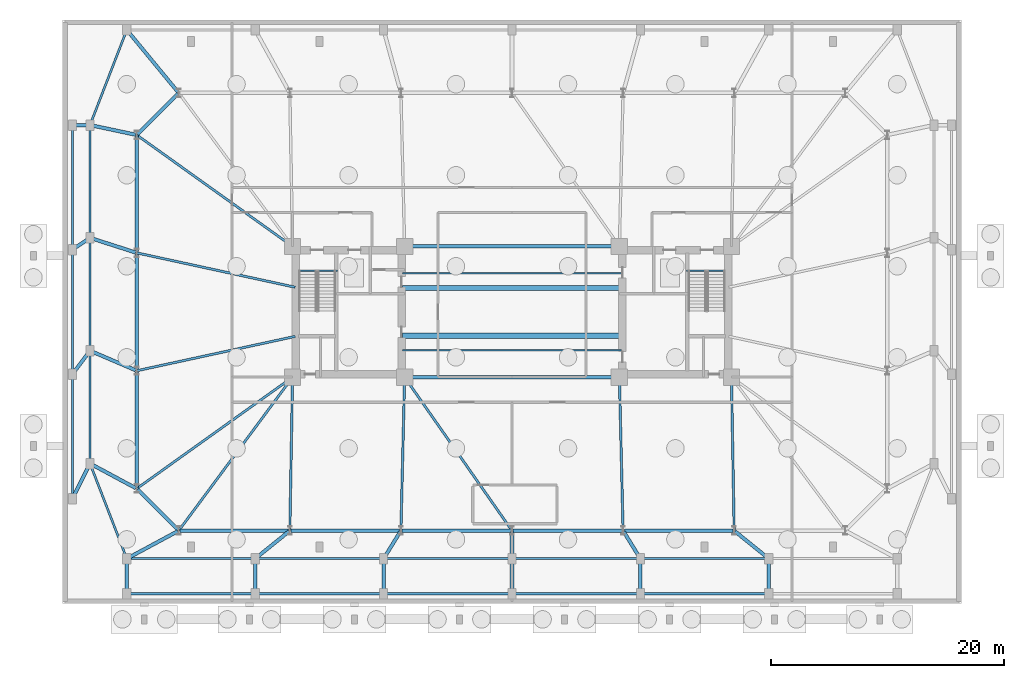
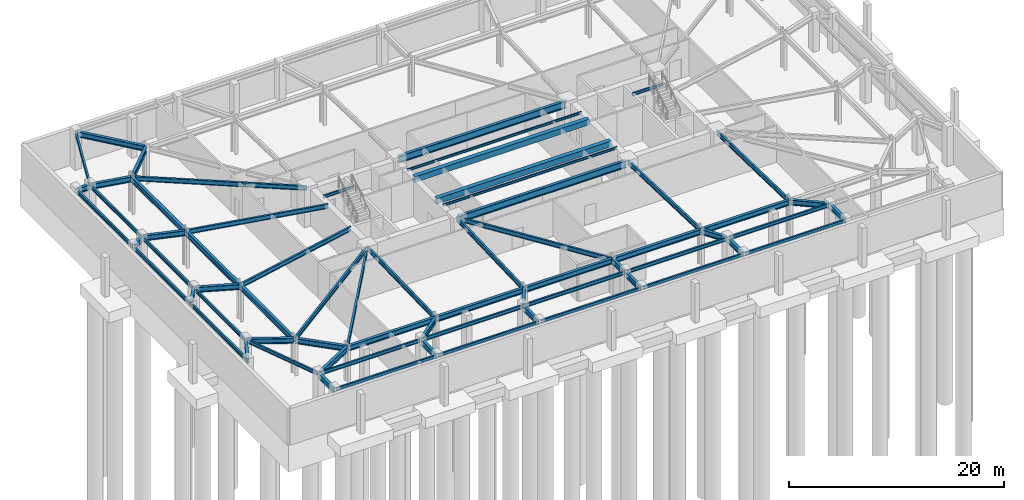
# One storey, part 6 of 15: 67 beams.
"""IFC4 building model written with IfcOpenShell, lengths in metres."""

from ifc_helpers import new_model, si_unit, direction, frame, origin, origin_2d, place, context, subcontext, project, spatial, rectangle, i_section, extrude, material, material_profile, profile_set, type_object, element, save


model = new_model("IFC4")

# Units and contexts
model_context = context("Model", 3, precision=1e-05, world=origin(), true_north=direction((0.0, 1.0)))
body_context = subcontext(model_context, "Body", "Model", "MODEL_VIEW")
ifc_project = project(units=[si_unit("LENGTHUNIT", "METRE"), si_unit("AREAUNIT", "SQUARE_METRE"), si_unit("VOLUMEUNIT", "CUBIC_METRE"), si_unit("PLANEANGLEUNIT", "RADIAN"), si_unit("MASSUNIT", "GRAM", prefix="KILO")], contexts=[model_context])

# Site, building, storey
site_placement = place(None, origin())
site = spatial("IfcSite", under=ifc_project, at=site_placement, CompositionType="ELEMENT")
building_placement = place(site_placement, origin())
building = spatial("IfcBuilding", under=site, at=building_placement, Name="Qobustan Lattice House", CompositionType="ELEMENT")
storey_placement = place(building_placement, frame((0.0, 0.0, -9.0)))
storey = spatial("IfcBuildingStorey", under=building, at=storey_placement, Name="B02", CompositionType="ELEMENT", Elevation=-9.0)

# Beams
ifc_material_1 = material(Name="Steel S355", Category="steel")
ifc_material_profile_1 = material_profile(ifc_material_1, i_section(OverallWidth=0.199951171875, OverallDepth=0.5, WebThickness=0.01025390625, FlangeThickness=0.01611328125, FilletRadius=0.02099609375, at=origin_2d()), Name="IPE500")
ifc_profile_set_1 = profile_set([ifc_material_profile_1], Name="Steel S355")
beam_type_1 = type_object("IfcBeamType", Name="BM-FLG-IPE500", PredefinedType="USERDEFINED", material=ifc_profile_set_1)
beam_1_placement = place(storey_placement, frame((-28.53515625, -18.72998046875, 3.889892578125), z_axis=(0.5955916815, 0.803287338956, 0.0), x_axis=(-0.803287338956, 0.5955916815, 0.0)))
element("IfcBeam", 1, at=beam_1_placement, inside=storey, type_object=beam_type_1, Name="B02 primary floor girder RAD-S1W", ObjectType="GIRDER", PredefinedType="USERDEFINED", context=body_context, shape_type="SweptSolid", body=[
    extrude(i_section(OverallWidth=0.199951171875, OverallDepth=0.5, WebThickness=0.01025390625, FlangeThickness=0.01611328125, FilletRadius=0.02099609375, at=origin_2d()), origin(), (0.0, 0.0, 1.0), 16.3203125),
])
beam_2_placement = place(storey_placement, frame((-19.032958984375, -18.72509765625, 3.889892578125), z_axis=(0.017757831607, 0.999842317276, 0.0), x_axis=(-0.999842317276, 0.017757831607, 0.0)))
element("IfcBeam", 2, at=beam_2_placement, inside=storey, type_object=beam_type_1, Name="B02 primary floor girder RAD-S2", ObjectType="GIRDER", PredefinedType="USERDEFINED", context=body_context, shape_type="SweptSolid", body=[
    extrude(i_section(OverallWidth=0.199951171875, OverallDepth=0.5, WebThickness=0.01025390625, FlangeThickness=0.01611328125, FilletRadius=0.02099609375, at=origin_2d()), origin(), (0.0, 0.0, 1.0), 13.10205078125),
])
beam_3_placement = place(storey_placement, frame((-9.51611328125, -18.72509765625, 3.889892578125), z_axis=(0.024071445657, 0.999710240772, 0.0), x_axis=(-0.999710240772, 0.024071445657, 0.0)))
element("IfcBeam", 3, at=beam_3_placement, inside=storey, type_object=beam_type_1, Name="B02 primary floor girder RAD-S3", ObjectType="GIRDER", PredefinedType="USERDEFINED", context=body_context, shape_type="SweptSolid", body=[
    extrude(i_section(OverallWidth=0.199951171875, OverallDepth=0.5, WebThickness=0.01025390625, FlangeThickness=0.01611328125, FilletRadius=0.02099609375, at=origin_2d()), origin(), (0.0, 0.0, 1.0), 13.10400390625),
])
beam_4_placement = place(storey_placement, frame((-0.014404296875, -18.7294921875, 3.889892578125), z_axis=(-0.57325954206, 0.819373844736, 0.0), x_axis=(-0.819373844736, -0.57325954206, 0.0)))
element("IfcBeam", 4, at=beam_4_placement, inside=storey, type_object=beam_type_1, Name="B02 primary floor girder RAD-S4", ObjectType="GIRDER", PredefinedType="USERDEFINED", context=body_context, shape_type="SweptSolid", body=[
    extrude(i_section(OverallWidth=0.199951171875, OverallDepth=0.5, WebThickness=0.01025390625, FlangeThickness=0.01611328125, FilletRadius=0.02099609375, at=origin_2d()), origin(), (0.0, 0.0, 1.0), 15.998779296875),
])
beam_5_placement = place(storey_placement, frame((9.51611328125, -18.72509765625, 3.889892578125), z_axis=(-0.024071445657, 0.999710240772, 0.0), x_axis=(-0.999710240772, -0.024071445657, 0.0)))
element("IfcBeam", 5, at=beam_5_placement, inside=storey, type_object=beam_type_1, Name="B02 primary floor girder RAD-S5", ObjectType="GIRDER", PredefinedType="USERDEFINED", context=body_context, shape_type="SweptSolid", body=[
    extrude(i_section(OverallWidth=0.199951171875, OverallDepth=0.5, WebThickness=0.01025390625, FlangeThickness=0.01611328125, FilletRadius=0.02099609375, at=origin_2d()), origin(), (0.0, 0.0, 1.0), 13.10400390625),
])
beam_6_placement = place(storey_placement, frame((19.032958984375, -18.72509765625, 3.889892578125), z_axis=(-0.017757831607, 0.999842317276, 0.0), x_axis=(-0.999842317276, -0.017757831607, 0.0)))
element("IfcBeam", 6, at=beam_6_placement, inside=storey, type_object=beam_type_1, Name="B02 primary floor girder RAD-S6", ObjectType="GIRDER", PredefinedType="USERDEFINED", context=body_context, shape_type="SweptSolid", body=[
    extrude(i_section(OverallWidth=0.199951171875, OverallDepth=0.5, WebThickness=0.01025390625, FlangeThickness=0.01611328125, FilletRadius=0.02099609375, at=origin_2d()), origin(), (0.0, 0.0, 1.0), 13.10205078125),
])
beam_7_placement = place(storey_placement, frame((-32.129638671875, 15.135498046875, 3.889892578125), z_axis=(0.813318954893, -0.581818079481, 0.0), x_axis=(0.581818079481, 0.813318954893, 0.0)))
element("IfcBeam", 7, at=beam_7_placement, inside=storey, type_object=beam_type_1, Name="B02 primary floor girder RAD-W1", ObjectType="GIRDER", PredefinedType="USERDEFINED", context=body_context, shape_type="SweptSolid", body=[
    extrude(i_section(OverallWidth=0.199951171875, OverallDepth=0.5, WebThickness=0.01025390625, FlangeThickness=0.01611328125, FilletRadius=0.02099609375, at=origin_2d()), origin(), (0.0, 0.0, 1.0), 16.3642578125),
])
for number, where, z_axis, x_axis, name in (
    (8, (-32.12548828125, 5.044677734375, 3.889892578125), (0.97727240275, -0.211987383643, 0.0), (0.211987383643, 0.97727240275, 0.0), "B02 primary floor girder RAD-W2"),
    (9, (-32.12548828125, -5.044677734375, 3.889892578125), (0.97727240275, 0.211987383643, 0.0), (-0.211987383643, 0.97727240275, 0.0), "B02 primary floor girder RAD-W3"),
):
    element("IfcBeam", number, at=place(storey_placement, frame(where, z_axis=z_axis, x_axis=x_axis)), inside=storey, type_object=beam_type_1, Name=name, ObjectType="GIRDER", PredefinedType="USERDEFINED", context=body_context, shape_type="SweptSolid", body=[
        extrude(i_section(OverallWidth=0.199951171875, OverallDepth=0.5, WebThickness=0.01025390625, FlangeThickness=0.01611328125, FilletRadius=0.02099609375, at=origin_2d()), origin(), (0.0, 0.0, 1.0), 13.8662109375),
    ])
beam_8_placement = place(storey_placement, frame((-32.129638671875, -15.135498046875, 3.889892578125), z_axis=(0.813318954893, 0.581818079481, 0.0), x_axis=(-0.581818079481, 0.813318954893, 0.0)))
element("IfcBeam", 10, at=beam_8_placement, inside=storey, type_object=beam_type_1, Name="B02 primary floor girder RAD-W4", ObjectType="GIRDER", PredefinedType="USERDEFINED", context=body_context, shape_type="SweptSolid", body=[
    extrude(i_section(OverallWidth=0.199951171875, OverallDepth=0.5, WebThickness=0.01025390625, FlangeThickness=0.01611328125, FilletRadius=0.02099609375, at=origin_2d()), origin(), (0.0, 0.0, 1.0), 16.3642578125),
])
ifc_material_2 = material(Name="Steel S355", Category="steel")
ifc_material_profile_2 = material_profile(ifc_material_2, i_section(OverallWidth=0.135009765625, OverallDepth=0.27001953125, WebThickness=0.006591796875, FlangeThickness=0.01025390625, FilletRadius=0.014892578125, at=origin_2d()), Name="IPE270")
ifc_profile_set_2 = profile_set([ifc_material_profile_2], Name="Steel S355")
beam_type_2 = type_object("IfcBeamType", Name="BM-JST-IPE270", PredefinedType="JOIST", material=ifc_profile_set_2)
for number, where, z_axis, x_axis, name in (
    (11, (-9.39990234375, -3.300048828125, 4.0048828125), (1.0, 0.0, 0.0), (0.0, 1.0, 0.0), "B02 central span floor joist 1"),
    (12, (-9.39990234375, 3.300048828125, 4.0048828125), (1.0, 0.0, 0.0), (0.0, 1.0, 0.0), "B02 central span floor joist 2"),
):
    element("IfcBeam", number, at=place(storey_placement, frame(where, z_axis=z_axis, x_axis=x_axis)), inside=storey, type_object=beam_type_2, Name=name, PredefinedType="JOIST", context=body_context, shape_type="SweptSolid", body=[
        extrude(i_section(OverallWidth=0.135009765625, OverallDepth=0.27001953125, WebThickness=0.006591796875, FlangeThickness=0.01025390625, FilletRadius=0.014892578125, at=origin_2d()), origin(), (0.0, 0.0, 1.0), 18.7998046875),
    ])
ifc_material_3 = material(Name="Concrete C50/60", Category="concrete")
ifc_material_profile_3 = material_profile(ifc_material_3, rectangle(XDim=0.449951171875, YDim=0.64990234375, at=origin_2d()), Name="RC450x650")
ifc_profile_set_3 = profile_set([ifc_material_profile_3], Name="Concrete C50/60")
beam_type_3 = type_object("IfcBeamType", Name="BM-LINTEL-450x650", PredefinedType="LINTEL", material=ifc_profile_set_3)
for number, where, z_axis, x_axis, name in (
    (13, (-9.39990234375, -2.050048828125, 3.81494140625), (1.0, 0.0, 0.0), (0.0, 1.0, 0.0), "B02 reinforced concrete portal lintel LN-W1"),
    (14, (-9.39990234375, 2.050048828125, 3.81494140625), (1.0, 0.0, 0.0), (0.0, 1.0, 0.0), "B02 reinforced concrete portal lintel LN-E1"),
):
    element("IfcBeam", number, at=place(storey_placement, frame(where, z_axis=z_axis, x_axis=x_axis)), inside=storey, type_object=beam_type_3, Name=name, PredefinedType="LINTEL", context=body_context, shape_type="SweptSolid", body=[
        extrude(rectangle(XDim=0.449951171875, YDim=0.64990234375, at=origin_2d()), origin(), (0.0, 0.0, 1.0), 18.7998046875),
    ])
ifc_material_4 = material(Name="Steel S355", Category="steel")
ifc_material_profile_4 = material_profile(ifc_material_4, i_section(OverallWidth=0.300048828125, OverallDepth=0.60009765625, WebThickness=0.015380859375, FlangeThickness=0.030029296875, FilletRadius=0.027099609375, at=origin_2d()), Name="HEB600")
ifc_profile_set_4 = profile_set([ifc_material_profile_4], Name="Steel S355")
beam_type_4 = type_object("IfcBeamType", Name="BM-POD-HEB600", PredefinedType="USERDEFINED", material=ifc_profile_set_4)
for number, where, z_axis, x_axis, name in (
    (15, (-33.0, -24.030029296875, 3.840087890625), (0.0, 1.0, 0.0), (-1.0, 0.0, 0.0), "B02 south terrace tie girder 1"),
    (16, (-22.0, -24.030029296875, 3.840087890625), (0.0, 1.0, 0.0), (-1.0, 0.0, 0.0), "B02 south terrace tie girder 2"),
    (17, (-11.0, -24.030029296875, 3.840087890625), (0.0, 1.0, 0.0), (-1.0, 0.0, 0.0), "B02 south terrace tie girder 3"),
    (18, (0.0, -24.030029296875, 3.840087890625), (0.0, 1.0, 0.0), (-1.0, 0.0, 0.0), "B02 south terrace tie girder 4"),
    (19, (11.0, -24.030029296875, 3.840087890625), (0.0, 1.0, 0.0), (-1.0, 0.0, 0.0), "B02 south terrace tie girder 5"),
    (20, (22.0, -24.030029296875, 3.840087890625), (0.0, 1.0, 0.0), (-1.0, 0.0, 0.0), "B02 south terrace tie girder 6"),
):
    element("IfcBeam", number, at=place(storey_placement, frame(where, z_axis=z_axis, x_axis=x_axis)), inside=storey, type_object=beam_type_4, Name=name, ObjectType="GIRDER", PredefinedType="USERDEFINED", context=body_context, shape_type="SweptSolid", body=[
        extrude(i_section(OverallWidth=0.300048828125, OverallDepth=0.60009765625, WebThickness=0.015380859375, FlangeThickness=0.030029296875, FilletRadius=0.027099609375, at=origin_2d()), origin(), (0.0, 0.0, 1.0), 2.760009765625),
    ])
beam_9_placement = place(storey_placement, frame((-37.59619140625, -15.892578125, 3.840087890625), z_axis=(0.4472135955, 0.894427191, 0.0), x_axis=(-0.894427191, 0.4472135955, 0.0)))
element("IfcBeam", 21, at=beam_9_placement, inside=storey, type_object=beam_type_4, Name="B02 setback tie girder PWL1", ObjectType="GIRDER", PredefinedType="USERDEFINED", context=body_context, shape_type="SweptSolid", body=[
    extrude(i_section(OverallWidth=0.300048828125, OverallDepth=0.60009765625, WebThickness=0.015380859375, FlangeThickness=0.030029296875, FilletRadius=0.027099609375, at=origin_2d()), origin(), (0.0, 0.0, 1.0), 3.114013671875),
])
beam_10_placement = place(storey_placement, frame((-37.577880859375, -5.2373046875, 3.840087890625), z_axis=(0.599965431752, 0.800025925019, 0.0), x_axis=(-0.800025925019, 0.599965431752, 0.0)))
element("IfcBeam", 22, at=beam_10_placement, inside=storey, type_object=beam_type_4, Name="B02 setback tie girder PWL2", ObjectType="GIRDER", PredefinedType="USERDEFINED", context=body_context, shape_type="SweptSolid", body=[
    extrude(i_section(OverallWidth=0.300048828125, OverallDepth=0.60009765625, WebThickness=0.015380859375, FlangeThickness=0.030029296875, FilletRadius=0.027099609375, at=origin_2d()), origin(), (0.0, 0.0, 1.0), 2.260009765625),
])
beam_11_placement = place(storey_placement, frame((-37.55029296875, 5.39990234375, 3.840087890625), z_axis=(0.832074324237, 0.554664149684, 0.0), x_axis=(-0.554664149684, 0.832074324237, 0.0)))
element("IfcBeam", 23, at=beam_11_placement, inside=storey, type_object=beam_type_4, Name="B02 setback tie girder PWL3", ObjectType="GIRDER", PredefinedType="USERDEFINED", context=body_context, shape_type="SweptSolid", body=[
    extrude(i_section(OverallWidth=0.300048828125, OverallDepth=0.60009765625, WebThickness=0.015380859375, FlangeThickness=0.030029296875, FilletRadius=0.027099609375, at=origin_2d()), origin(), (0.0, 0.0, 1.0), 1.56298828125),
])
beam_12_placement = place(storey_placement, frame((-37.530029296875, 16.0, 3.840087890625), z_axis=(1.0, 0.0, 0.0), x_axis=(0.0, 1.0, 0.0)))
element("IfcBeam", 24, at=beam_12_placement, inside=storey, type_object=beam_type_4, Name="B02 setback tie girder PWL4", ObjectType="GIRDER", PredefinedType="USERDEFINED", context=body_context, shape_type="SweptSolid", body=[
    extrude(i_section(OverallWidth=0.300048828125, OverallDepth=0.60009765625, WebThickness=0.015380859375, FlangeThickness=0.030029296875, FilletRadius=0.027099609375, at=origin_2d()), origin(), (0.0, 0.0, 1.0), 1.260009765625),
])
for number, where, z_axis, x_axis, name in (
    (25, (-28.449951171875, -18.75, 3.840087890625), (1.0, 0.0, 0.0), (0.0, 1.0, 0.0), "B02 tower base ring girder S1-S2"),
    (26, (-18.933349609375, -18.75, 3.840087890625), (1.0, 0.0, 0.0), (0.0, 1.0, 0.0), "B02 tower base ring girder S2-S3"),
    (27, (-9.416748046875, -18.75, 3.840087890625), (1.0, 0.0, 0.0), (0.0, 1.0, 0.0), "B02 tower base ring girder S3-S4"),
    (28, (0.10009765625, -18.75, 3.840087890625), (1.0, 0.0, 0.0), (0.0, 1.0, 0.0), "B02 tower base ring girder S4-S5"),
    (29, (9.61669921875, -18.75, 3.840087890625), (1.0, 0.0, 0.0), (0.0, 1.0, 0.0), "B02 tower base ring girder S5-S6"),
):
    element("IfcBeam", number, at=place(storey_placement, frame(where, z_axis=z_axis, x_axis=x_axis)), inside=storey, type_object=beam_type_4, Name=name, ObjectType="GIRDER", PredefinedType="USERDEFINED", context=body_context, shape_type="SweptSolid", body=[
        extrude(i_section(OverallWidth=0.300048828125, OverallDepth=0.60009765625, WebThickness=0.015380859375, FlangeThickness=0.030029296875, FilletRadius=0.027099609375, at=origin_2d()), origin(), (0.0, 0.0, 1.0), 9.316650390625),
    ])
beam_13_placement = place(storey_placement, frame((-28.62060546875, 18.67919921875, 3.840087890625), z_axis=(-0.70713173775, -0.707081823743, 0.0), x_axis=(0.707081823743, -0.70713173775, 0.0)))
element("IfcBeam", 30, at=beam_13_placement, inside=storey, type_object=beam_type_4, Name="B02 tower base ring girder N7-W1", ObjectType="GIRDER", PredefinedType="USERDEFINED", context=body_context, shape_type="SweptSolid", body=[
    extrude(i_section(OverallWidth=0.300048828125, OverallDepth=0.60009765625, WebThickness=0.015380859375, FlangeThickness=0.030029296875, FilletRadius=0.027099609375, at=origin_2d()), origin(), (0.0, 0.0, 1.0), 4.89111328125),
])
beam_14_placement = place(storey_placement, frame((-32.14990234375, 15.050048828125, 3.840087890625), z_axis=(0.0, -1.0, 0.0), x_axis=(1.0, 0.0, 0.0)))
element("IfcBeam", 31, at=beam_14_placement, inside=storey, type_object=beam_type_4, Name="B02 tower base ring girder W1-W2", ObjectType="GIRDER", PredefinedType="USERDEFINED", context=body_context, shape_type="SweptSolid", body=[
    extrude(i_section(OverallWidth=0.300048828125, OverallDepth=0.60009765625, WebThickness=0.015380859375, FlangeThickness=0.030029296875, FilletRadius=0.027099609375, at=origin_2d()), origin(), (0.0, 0.0, 1.0), 9.900146484375),
])
beam_15_placement = place(storey_placement, frame((-32.14990234375, 4.949951171875, 3.840087890625), z_axis=(0.0, -1.0, 0.0), x_axis=(1.0, 0.0, 0.0)))
element("IfcBeam", 32, at=beam_15_placement, inside=storey, type_object=beam_type_4, Name="B02 tower base ring girder W2-W3", ObjectType="GIRDER", PredefinedType="USERDEFINED", context=body_context, shape_type="SweptSolid", body=[
    extrude(i_section(OverallWidth=0.300048828125, OverallDepth=0.60009765625, WebThickness=0.015380859375, FlangeThickness=0.030029296875, FilletRadius=0.027099609375, at=origin_2d()), origin(), (0.0, 0.0, 1.0), 9.89990234375),
])
beam_16_placement = place(storey_placement, frame((-32.14990234375, -5.14990234375, 3.840087890625), z_axis=(0.0, -1.0, 0.0), x_axis=(1.0, 0.0, 0.0)))
element("IfcBeam", 33, at=beam_16_placement, inside=storey, type_object=beam_type_4, Name="B02 tower base ring girder W3-W4", ObjectType="GIRDER", PredefinedType="USERDEFINED", context=body_context, shape_type="SweptSolid", body=[
    extrude(i_section(OverallWidth=0.300048828125, OverallDepth=0.60009765625, WebThickness=0.015380859375, FlangeThickness=0.030029296875, FilletRadius=0.027099609375, at=origin_2d()), origin(), (0.0, 0.0, 1.0), 9.900146484375),
])
beam_17_placement = place(storey_placement, frame((-32.079345703125, -15.220703125, 3.840087890625), z_axis=(0.70713173775, -0.707081823743, 0.0), x_axis=(0.707081823743, 0.70713173775, 0.0)))
element("IfcBeam", 34, at=beam_17_placement, inside=storey, type_object=beam_type_4, Name="B02 tower base ring girder W4-S1", ObjectType="GIRDER", PredefinedType="USERDEFINED", context=body_context, shape_type="SweptSolid", body=[
    extrude(i_section(OverallWidth=0.300048828125, OverallDepth=0.60009765625, WebThickness=0.015380859375, FlangeThickness=0.030029296875, FilletRadius=0.027099609375, at=origin_2d()), origin(), (0.0, 0.0, 1.0), 4.89111328125),
])
beam_18_placement = place(storey_placement, frame((-32.894287109375, -21.093017578125, 3.840087890625), z_axis=(0.88016615165, 0.474665719732, 0.0), x_axis=(-0.474665719732, 0.88016615165, 0.0)))
element("IfcBeam", 35, at=beam_18_placement, inside=storey, type_object=beam_type_4, Name="B02 podium radial girder PS1", ObjectType="GIRDER", PredefinedType="USERDEFINED", context=body_context, shape_type="SweptSolid", body=[
    extrude(i_section(OverallWidth=0.300048828125, OverallDepth=0.60009765625, WebThickness=0.015380859375, FlangeThickness=0.030029296875, FilletRadius=0.027099609375, at=origin_2d()), origin(), (0.0, 0.0, 1.0), 4.8359375),
])
beam_19_placement = place(storey_placement, frame((-32.923583984375, 24.057373046875, 3.840087890625), z_axis=(0.635954703728, -0.771726385973, 0.0), x_axis=(0.771726385973, 0.635954703728, 0.0)))
element("IfcBeam", 36, at=beam_19_placement, inside=storey, type_object=beam_type_4, Name="B02 podium radial girder PN1", ObjectType="GIRDER", PredefinedType="USERDEFINED", context=body_context, shape_type="SweptSolid", body=[
    extrude(i_section(OverallWidth=0.300048828125, OverallDepth=0.60009765625, WebThickness=0.015380859375, FlangeThickness=0.030029296875, FilletRadius=0.027099609375, at=origin_2d()), origin(), (0.0, 0.0, 1.0), 6.77734375),
])
beam_20_placement = place(storey_placement, frame((-21.90673828125, -21.074462890625, 3.840087890625), z_axis=(0.777472502595, 0.62891693228, 0.0), x_axis=(-0.62891693228, 0.777472502595, 0.0)))
element("IfcBeam", 37, at=beam_20_placement, inside=storey, type_object=beam_type_4, Name="B02 podium radial girder PS2", ObjectType="GIRDER", PredefinedType="USERDEFINED", context=body_context, shape_type="SweptSolid", body=[
    extrude(i_section(OverallWidth=0.300048828125, OverallDepth=0.60009765625, WebThickness=0.015380859375, FlangeThickness=0.030029296875, FilletRadius=0.027099609375, at=origin_2d()), origin(), (0.0, 0.0, 1.0), 3.595703125),
])
beam_21_placement = place(storey_placement, frame((-10.93701171875, -21.0478515625, 3.840087890625), z_axis=(0.525782588011, 0.850618992349, 0.0), x_axis=(-0.850618992349, 0.525782588011, 0.0)))
element("IfcBeam", 38, at=beam_21_placement, inside=storey, type_object=beam_type_4, Name="B02 podium radial girder PS3", ObjectType="GIRDER", PredefinedType="USERDEFINED", context=body_context, shape_type="SweptSolid", body=[
    extrude(i_section(OverallWidth=0.300048828125, OverallDepth=0.60009765625, WebThickness=0.015380859375, FlangeThickness=0.030029296875, FilletRadius=0.027099609375, at=origin_2d()), origin(), (0.0, 0.0, 1.0), 2.601318359375),
])
beam_22_placement = place(storey_placement, frame((0.0, -21.030029296875, 3.840087890625), z_axis=(0.0, 1.0, 0.0), x_axis=(-1.0, 0.0, 0.0)))
element("IfcBeam", 39, at=beam_22_placement, inside=storey, type_object=beam_type_4, Name="B02 podium radial girder PS4", ObjectType="GIRDER", PredefinedType="USERDEFINED", context=body_context, shape_type="SweptSolid", body=[
    extrude(i_section(OverallWidth=0.300048828125, OverallDepth=0.60009765625, WebThickness=0.015380859375, FlangeThickness=0.030029296875, FilletRadius=0.027099609375, at=origin_2d()), origin(), (0.0, 0.0, 1.0), 2.179931640625),
])
beam_23_placement = place(storey_placement, frame((10.93701171875, -21.0478515625, 3.840087890625), z_axis=(-0.525782588011, 0.850618992349, 0.0), x_axis=(-0.850618992349, -0.525782588011, 0.0)))
element("IfcBeam", 40, at=beam_23_placement, inside=storey, type_object=beam_type_4, Name="B02 podium radial girder PS5", ObjectType="GIRDER", PredefinedType="USERDEFINED", context=body_context, shape_type="SweptSolid", body=[
    extrude(i_section(OverallWidth=0.300048828125, OverallDepth=0.60009765625, WebThickness=0.015380859375, FlangeThickness=0.030029296875, FilletRadius=0.027099609375, at=origin_2d()), origin(), (0.0, 0.0, 1.0), 2.601318359375),
])
beam_24_placement = place(storey_placement, frame((21.90673828125, -21.074462890625, 3.840087890625), z_axis=(-0.777472502595, 0.62891693228, 0.0), x_axis=(-0.62891693228, -0.777472502595, 0.0)))
element("IfcBeam", 41, at=beam_24_placement, inside=storey, type_object=beam_type_4, Name="B02 podium radial girder PS6", ObjectType="GIRDER", PredefinedType="USERDEFINED", context=body_context, shape_type="SweptSolid", body=[
    extrude(i_section(OverallWidth=0.300048828125, OverallDepth=0.60009765625, WebThickness=0.015380859375, FlangeThickness=0.030029296875, FilletRadius=0.027099609375, at=origin_2d()), origin(), (0.0, 0.0, 1.0), 3.595703125),
])
beam_25_placement = place(storey_placement, frame((-36.044189453125, -13.056884765625, 3.840087890625), z_axis=(0.880815561441, -0.473459551307, 0.0), x_axis=(0.473459551307, 0.880815561441, 0.0)))
element("IfcBeam", 42, at=beam_25_placement, inside=storey, type_object=beam_type_4, Name="B02 podium radial girder PW1", ObjectType="GIRDER", PredefinedType="USERDEFINED", context=body_context, shape_type="SweptSolid", body=[
    extrude(i_section(OverallWidth=0.300048828125, OverallDepth=0.60009765625, WebThickness=0.015380859375, FlangeThickness=0.030029296875, FilletRadius=0.027099609375, at=origin_2d()), origin(), (0.0, 0.0, 1.0), 4.3212890625),
])
beam_26_placement = place(storey_placement, frame((-36.039794921875, -3.380615234375, 3.840087890625), z_axis=(0.918949362679, -0.394375542893, 0.0), x_axis=(0.394375542893, 0.918949362679, 0.0)))
element("IfcBeam", 43, at=beam_26_placement, inside=storey, type_object=beam_type_4, Name="B02 podium radial girder PW2", ObjectType="GIRDER", PredefinedType="USERDEFINED", context=body_context, shape_type="SweptSolid", body=[
    extrude(i_section(OverallWidth=0.300048828125, OverallDepth=0.60009765625, WebThickness=0.015380859375, FlangeThickness=0.030029296875, FilletRadius=0.027099609375, at=origin_2d()), origin(), (0.0, 0.0, 1.0), 4.1328125),
])
beam_27_placement = place(storey_placement, frame((-36.03564453125, 6.296630859375, 3.840087890625), z_axis=(0.952198151545, -0.305481063561, 0.0), x_axis=(0.305481063561, 0.952198151545, 0.0)))
element("IfcBeam", 44, at=beam_27_placement, inside=storey, type_object=beam_type_4, Name="B02 podium radial girder PW3", ObjectType="GIRDER", PredefinedType="USERDEFINED", context=body_context, shape_type="SweptSolid", body=[
    extrude(i_section(OverallWidth=0.300048828125, OverallDepth=0.60009765625, WebThickness=0.015380859375, FlangeThickness=0.030029296875, FilletRadius=0.027099609375, at=origin_2d()), origin(), (0.0, 0.0, 1.0), 3.980712890625),
])
beam_28_placement = place(storey_placement, frame((-36.03271484375, 15.97509765625, 3.840087890625), z_axis=(0.978163821655, -0.207835362738, 0.0), x_axis=(0.207835362738, 0.978163821655, 0.0)))
element("IfcBeam", 45, at=beam_28_placement, inside=storey, type_object=beam_type_4, Name="B02 podium radial girder PW4", ObjectType="GIRDER", PredefinedType="USERDEFINED", context=body_context, shape_type="SweptSolid", body=[
    extrude(i_section(OverallWidth=0.300048828125, OverallDepth=0.60009765625, WebThickness=0.015380859375, FlangeThickness=0.030029296875, FilletRadius=0.027099609375, at=origin_2d()), origin(), (0.0, 0.0, 1.0), 3.869384765625),
])
ifc_material_5 = material(Name="Steel S355", Category="steel")
ifc_material_profile_5 = material_profile(ifc_material_5, i_section(OverallWidth=0.159912109375, OverallDepth=0.330078125, WebThickness=0.007568359375, FlangeThickness=0.011474609375, FilletRadius=0.01806640625, at=origin_2d()), Name="IPE330")
ifc_profile_set_5 = profile_set([ifc_material_profile_5], Name="Steel S355")
beam_type_5 = type_object("IfcBeamType", Name="BM-SPD-IPE330", PredefinedType="SPANDREL", material=ifc_profile_set_5)
for number, where, z_axis, x_axis, name in (
    (46, (-18.300048828125, 3.52001953125, 3.97509765625), (1.0, 0.0, 0.0), (0.0, 1.0, 0.0), "B02 west stair landing trimmer beam"),
    (47, (14.949951171875, 3.52001953125, 3.97509765625), (1.0, 0.0, 0.0), (0.0, 1.0, 0.0), "B02 east stair landing trimmer beam"),
):
    element("IfcBeam", number, at=place(storey_placement, frame(where, z_axis=z_axis, x_axis=x_axis)), inside=storey, type_object=beam_type_5, Name=name, PredefinedType="SPANDREL", context=body_context, shape_type="SweptSolid", body=[
        extrude(i_section(OverallWidth=0.159912109375, OverallDepth=0.330078125, WebThickness=0.007568359375, FlangeThickness=0.011474609375, FilletRadius=0.01806640625, at=origin_2d()), origin(), (0.0, 0.0, 1.0), 3.35009765625),
    ])
ifc_material_6 = material(Name="Steel S355", Category="steel")
ifc_material_profile_6 = material_profile(ifc_material_6, i_section(OverallWidth=0.179931640625, OverallDepth=0.39990234375, WebThickness=0.008544921875, FlangeThickness=0.013427734375, FilletRadius=0.02099609375, at=origin_2d()), Name="IPE400")
ifc_profile_set_6 = profile_set([ifc_material_profile_6], Name="Steel S355")
beam_type_6 = type_object("IfcBeamType", Name="BM-SPD-IPE400", PredefinedType="SPANDREL", material=ifc_profile_set_6)
for number, where, z_axis, x_axis, name in (
    (48, (-32.8798828125, -21.14990234375, 3.93994140625), (1.0, 0.0, 0.0), (0.0, 1.0, 0.0), "B02 podium spandrel PS1-PS2"),
    (49, (-21.8798828125, -21.14990234375, 3.93994140625), (1.0, 0.0, 0.0), (0.0, 1.0, 0.0), "B02 podium spandrel PS2-PS3"),
    (50, (-10.8798828125, -21.14990234375, 3.93994140625), (1.0, 0.0, 0.0), (0.0, 1.0, 0.0), "B02 podium spandrel PS3-PS4"),
    (51, (0.1201171875, -21.14990234375, 3.93994140625), (1.0, 0.0, 0.0), (0.0, 1.0, 0.0), "B02 podium spandrel PS4-PS5"),
    (52, (11.1201171875, -21.14990234375, 3.93994140625), (1.0, 0.0, 0.0), (0.0, 1.0, 0.0), "B02 podium spandrel PS5-PS6"),
):
    element("IfcBeam", number, at=place(storey_placement, frame(where, z_axis=z_axis, x_axis=x_axis)), inside=storey, type_object=beam_type_6, Name=name, PredefinedType="SPANDREL", context=body_context, shape_type="SweptSolid", body=[
        extrude(i_section(OverallWidth=0.179931640625, OverallDepth=0.39990234375, WebThickness=0.008544921875, FlangeThickness=0.013427734375, FilletRadius=0.02099609375, at=origin_2d()), origin(), (0.0, 0.0, 1.0), 10.759765625),
    ])
beam_29_placement = place(storey_placement, frame((-36.14990234375, -12.8798828125, 3.93994140625), z_axis=(0.0, 1.0, 0.0), x_axis=(-1.0, 0.0, 0.0)))
element("IfcBeam", 53, at=beam_29_placement, inside=storey, type_object=beam_type_6, Name="B02 podium spandrel PW1-PW2", PredefinedType="SPANDREL", context=body_context, shape_type="SweptSolid", body=[
    extrude(i_section(OverallWidth=0.179931640625, OverallDepth=0.39990234375, WebThickness=0.008544921875, FlangeThickness=0.013427734375, FilletRadius=0.02099609375, at=origin_2d()), origin(), (0.0, 0.0, 1.0), 9.426513671875),
])
for number, where, z_axis, x_axis, name in (
    (54, (-36.14990234375, -3.21337890625, 3.93994140625), (0.0, 1.0, 0.0), (-1.0, 0.0, 0.0), "B02 podium spandrel PW2-PW3"),
    (55, (-36.14990234375, 6.453369140625, 3.93994140625), (0.0, 1.0, 0.0), (-1.0, 0.0, 0.0), "B02 podium spandrel PW3-PW4"),
):
    element("IfcBeam", number, at=place(storey_placement, frame(where, z_axis=z_axis, x_axis=x_axis)), inside=storey, type_object=beam_type_6, Name=name, PredefinedType="SPANDREL", context=body_context, shape_type="SweptSolid", body=[
        extrude(i_section(OverallWidth=0.179931640625, OverallDepth=0.39990234375, WebThickness=0.008544921875, FlangeThickness=0.013427734375, FilletRadius=0.02099609375, at=origin_2d()), origin(), (0.0, 0.0, 1.0), 9.4267578125),
    ])
beam_30_placement = place(storey_placement, frame((-33.043212890625, -21.0380859375, 3.93994140625), z_axis=(-0.360507225068, 0.93275642087, 0.0), x_axis=(-0.93275642087, -0.360507225068, 0.0)))
element("IfcBeam", 56, at=beam_30_placement, inside=storey, type_object=beam_type_6, Name="B02 podium corner tie PS1-PW1", PredefinedType="SPANDREL", context=body_context, shape_type="SweptSolid", body=[
    extrude(i_section(OverallWidth=0.179931640625, OverallDepth=0.39990234375, WebThickness=0.008544921875, FlangeThickness=0.013427734375, FilletRadius=0.02099609375, at=origin_2d()), origin(), (0.0, 0.0, 1.0), 8.497802734375),
])
beam_31_placement = place(storey_placement, frame((-36.106689453125, 16.112060546875, 3.93994140625), z_axis=(0.360516886299, 0.932752686779, 0.0), x_axis=(-0.932752686779, 0.360516886299, 0.0)))
element("IfcBeam", 57, at=beam_31_placement, inside=storey, type_object=beam_type_6, Name="B02 podium corner tie PW4-PN1", PredefinedType="SPANDREL", context=body_context, shape_type="SweptSolid", body=[
    extrude(i_section(OverallWidth=0.179931640625, OverallDepth=0.39990234375, WebThickness=0.008544921875, FlangeThickness=0.013427734375, FilletRadius=0.02099609375, at=origin_2d()), origin(), (0.0, 0.0, 1.0), 8.49755859375),
])
for number, where, z_axis, x_axis, name in (
    (58, (-32.8798828125, -24.14990234375, 3.93994140625), (1.0, 0.0, 0.0), (0.0, 1.0, 0.0), "B02 lower podium spandrel PSL1-PSL2"),
    (59, (-21.8798828125, -24.14990234375, 3.93994140625), (1.0, 0.0, 0.0), (0.0, 1.0, 0.0), "B02 lower podium spandrel PSL2-PSL3"),
    (60, (-10.8798828125, -24.14990234375, 3.93994140625), (1.0, 0.0, 0.0), (0.0, 1.0, 0.0), "B02 lower podium spandrel PSL3-PSL4"),
    (61, (0.1201171875, -24.14990234375, 3.93994140625), (1.0, 0.0, 0.0), (0.0, 1.0, 0.0), "B02 lower podium spandrel PSL4-PSL5"),
    (62, (11.1201171875, -24.14990234375, 3.93994140625), (1.0, 0.0, 0.0), (0.0, 1.0, 0.0), "B02 lower podium spandrel PSL5-PSL6"),
):
    element("IfcBeam", number, at=place(storey_placement, frame(where, z_axis=z_axis, x_axis=x_axis)), inside=storey, type_object=beam_type_6, Name=name, PredefinedType="SPANDREL", context=body_context, shape_type="SweptSolid", body=[
        extrude(i_section(OverallWidth=0.179931640625, OverallDepth=0.39990234375, WebThickness=0.008544921875, FlangeThickness=0.013427734375, FilletRadius=0.02099609375, at=origin_2d()), origin(), (0.0, 0.0, 1.0), 10.759765625),
    ])
beam_32_placement = place(storey_placement, frame((-37.64990234375, -15.8798828125, 3.93994140625), z_axis=(0.0, 1.0, 0.0), x_axis=(-1.0, 0.0, 0.0)))
element("IfcBeam", 63, at=beam_32_placement, inside=storey, type_object=beam_type_6, Name="B02 lower podium spandrel PWL1-PWL2", PredefinedType="SPANDREL", context=body_context, shape_type="SweptSolid", body=[
    extrude(i_section(OverallWidth=0.179931640625, OverallDepth=0.39990234375, WebThickness=0.008544921875, FlangeThickness=0.013427734375, FilletRadius=0.02099609375, at=origin_2d()), origin(), (0.0, 0.0, 1.0), 10.426513671875),
])
for number, where, z_axis, x_axis, name in (
    (64, (-37.64990234375, -5.21337890625, 3.93994140625), (0.0, 1.0, 0.0), (-1.0, 0.0, 0.0), "B02 lower podium spandrel PWL2-PWL3"),
    (65, (-37.64990234375, 5.453369140625, 3.93994140625), (0.0, 1.0, 0.0), (-1.0, 0.0, 0.0), "B02 lower podium spandrel PWL3-PWL4"),
):
    element("IfcBeam", number, at=place(storey_placement, frame(where, z_axis=z_axis, x_axis=x_axis)), inside=storey, type_object=beam_type_6, Name=name, PredefinedType="SPANDREL", context=body_context, shape_type="SweptSolid", body=[
        extrude(i_section(OverallWidth=0.179931640625, OverallDepth=0.39990234375, WebThickness=0.008544921875, FlangeThickness=0.013427734375, FilletRadius=0.02099609375, at=origin_2d()), origin(), (0.0, 0.0, 1.0), 10.4267578125),
    ])
ifc_material_7 = material(Name="Steel S355", Category="steel")
ifc_material_profile_7 = material_profile(ifc_material_7, i_section(OverallWidth=0.302978515625, OverallDepth=0.81396484375, WebThickness=0.02099609375, FlangeThickness=0.0400390625, FilletRadius=0.030029296875, at=origin_2d()), Name="HEM800")
ifc_profile_set_7 = profile_set([ifc_material_profile_7], Name="Steel S355")
beam_type_7 = type_object("IfcBeamType", Name="BM-SUB-HEM800", PredefinedType="USERDEFINED", material=ifc_profile_set_7)
for number, where, z_axis, x_axis, name in (
    (66, (-9.050048828125, -5.60009765625, 3.73291015625), (1.0, 0.0, 0.0), (0.0, 1.0, 0.0), "B02 core spine girder CG-CS"),
    (67, (-9.050048828125, 5.60009765625, 3.73291015625), (1.0, 0.0, 0.0), (0.0, 1.0, 0.0), "B02 core spine girder CG-CN"),
):
    element("IfcBeam", number, at=place(storey_placement, frame(where, z_axis=z_axis, x_axis=x_axis)), inside=storey, type_object=beam_type_7, Name=name, ObjectType="GIRDER", PredefinedType="USERDEFINED", context=body_context, shape_type="SweptSolid", body=[
        extrude(i_section(OverallWidth=0.302978515625, OverallDepth=0.81396484375, WebThickness=0.02099609375, FlangeThickness=0.0400390625, FilletRadius=0.030029296875, at=origin_2d()), origin(), (0.0, 0.0, 1.0), 18.10009765625),
    ])

save(model, "model.ifc")
